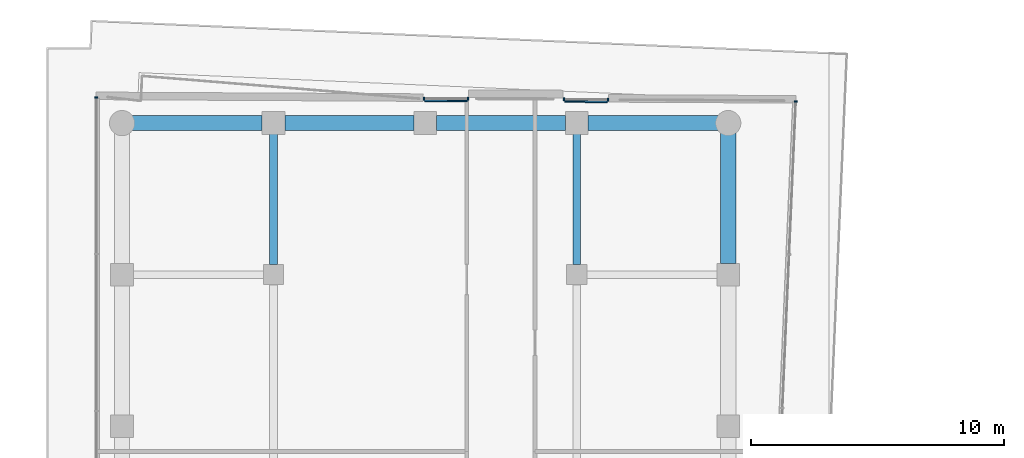
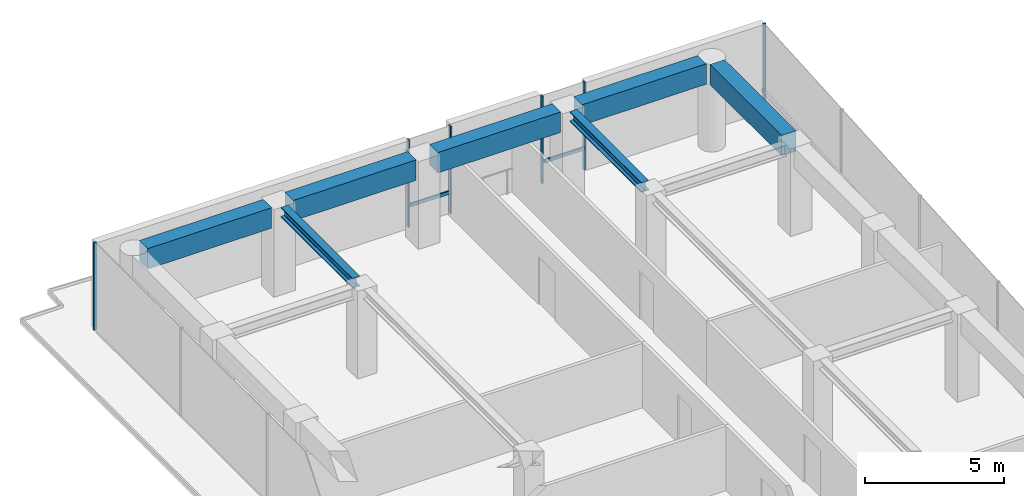
# One storey, part 18 of 25: 8 members, 7 beams, 4 elements without a shape of their own.
"""IFC4 building model written with IfcOpenShell, lengths in metres."""

from ifc_helpers import new_model, si_unit, direction, frame, origin, origin_2d, place, context, subcontext, project, spatial, rectangle, i_section, extrude, material, layer, layer_set, material_profile, profile_set, type_object, element, aggregate, save


model = new_model("IFC4")

# Units and contexts
model_context = context("Model", 3, precision=1e-05, world=origin(), true_north=direction((0.0, 1.0)))
body_context = subcontext(model_context, "Body", "Model", "MODEL_VIEW")
ifc_project = project(units=[si_unit("LENGTHUNIT", "METRE"), si_unit("AREAUNIT", "SQUARE_METRE"), si_unit("VOLUMEUNIT", "CUBIC_METRE"), si_unit("PLANEANGLEUNIT", "RADIAN"), si_unit("MASSUNIT", "GRAM", prefix="KILO")], contexts=[model_context])

# Site, building, storey
site_placement = place(None, origin())
site = spatial("IfcSite", under=ifc_project, at=site_placement, CompositionType="ELEMENT")
building_placement = place(site_placement, origin())
building = spatial("IfcBuilding", under=site, at=building_placement, Name="Welwitschia Terrace Campus", CompositionType="ELEMENT")
storey_placement = place(building_placement, frame((0.0, 0.0, 121.39990234375)))
storey = spatial("IfcBuildingStorey", under=building, at=storey_placement, Name="L27", CompositionType="ELEMENT", Elevation=121.39990234375)

# Beams
ifc_material_1 = material(Name="Steel S355", Category="steel")
ifc_material_profile_1 = material_profile(ifc_material_1, i_section(OverallWidth=0.306884765625, OverallDepth=0.431884765625, WebThickness=0.02099609375, FlangeThickness=0.0400390625, FilletRadius=0.027099609375, at=origin_2d()))
ifc_profile_set_1 = profile_set([ifc_material_profile_1], Name="Steel S355")
beam_type_1 = type_object("IfcBeamType", Name="Interior girder HE 400 M", PredefinedType="BEAM", material=ifc_profile_set_1)
for number, where, z_axis, x_axis, name in (
    (1, (6.0, 64.400390625, 3.634033203125), (0.0, 1.0, 0.0), (-1.0, 0.0, 0.0), "Girder GB3"),
    (2, (18.0, 64.400390625, 3.634033203125), (0.0, 1.0, 0.0), (-1.0, 0.0, 0.0), "Girder GB3"),
):
    element("IfcBeam", number, at=place(storey_placement, frame(where, z_axis=z_axis, x_axis=x_axis)), inside=storey, type_object=beam_type_1, Name=name, PredefinedType="BEAM", context=body_context, shape_type="SweptSolid", body=[
        extrude(i_section(OverallWidth=0.306884765625, OverallDepth=0.431884765625, WebThickness=0.02099609375, FlangeThickness=0.0400390625, FilletRadius=0.027099609375, at=origin_2d()), origin(), (0.0, 0.0, 1.0), 5.1591796875),
    ])

# Curtain wall, member
ifc_material_2 = material(Name="Bronze anodised aluminium", Category="aluminium")
ifc_layer = layer(ifc_material_2, 0.1201171875)
ifc_layer_set = layer_set([ifc_layer], Name="Bronze anodised aluminium")
curtain_wall_type = type_object("IfcCurtainWallType", Name="Curtain wall CW2 tower 6000", PredefinedType="NOTDEFINED", material=ifc_layer_set)
curtain_wall_1_placement = place(storey_placement, origin())
curtain_wall_1 = element("IfcCurtainWall", 3, at=curtain_wall_1_placement, inside=storey, type_object=curtain_wall_type, Name="CW L27.10.0", PredefinedType="NOTDEFINED")
ifc_material_3 = material(Name="Bronze anodised aluminium", Category="aluminium")
ifc_material_profile_2 = material_profile(ifc_material_3, rectangle(XDim=0.1201171875, YDim=0.06005859375, at=origin_2d()))
ifc_profile_set_2 = profile_set([ifc_material_profile_2], Name="Bronze anodised aluminium")
member_type_1 = type_object("IfcMemberType", Name="Mullion 60x120", PredefinedType="MULLION", material=ifc_profile_set_2)
member_1_placement = place(storey_placement, frame((26.677490234375, 70.861572265625, 0.0), z_axis=(0.0, 0.0, 1.0), x_axis=(-0.999048221582, 0.043619387365, 0.0)))
member_1 = element("IfcMember", 4, at=member_1_placement, type_object=member_type_1, Name="Mullion L27.10.0.6", PredefinedType="MULLION", context=body_context, shape_type="SweptSolid", body=[
    extrude(rectangle(XDim=0.1201171875, YDim=0.06005859375, at=origin_2d()), origin(), (0.0, 0.0, 1.0), 3.85009765625),
])
aggregate(curtain_wall_1, [member_1])

# Curtain wall, members
curtain_wall_2_placement = place(storey_placement, origin())
curtain_wall_2 = element("IfcCurtainWall", 5, at=curtain_wall_2_placement, inside=storey, type_object=curtain_wall_type, Name="CW L27.11.S0", PredefinedType="NOTDEFINED")
member_2_placement = place(storey_placement, frame((19.236083984375, 70.930908203125, 0.0), z_axis=(0.0, 0.0, 1.0), x_axis=(-0.005313754186, -0.999985881909, 0.0)))
member_2 = element("IfcMember", 6, at=member_2_placement, type_object=member_type_1, Name="Mullion L27.11.S0.0", PredefinedType="MULLION", context=body_context, shape_type="SweptSolid", body=[
    extrude(rectangle(XDim=0.1201171875, YDim=0.06005859375, at=origin_2d()), origin(), (0.0, 0.0, 1.0), 3.85009765625),
])
member_3_placement = place(storey_placement, frame((17.49609375, 70.940185546875, 0.0), z_axis=(0.0, 0.0, 1.0), x_axis=(-0.005313754186, -0.999985881909, 0.0)))
member_3 = element("IfcMember", 7, at=member_3_placement, type_object=member_type_1, Name="Mullion L27.11.S0.1", PredefinedType="MULLION", context=body_context, shape_type="SweptSolid", body=[
    extrude(rectangle(XDim=0.1201171875, YDim=0.06005859375, at=origin_2d()), origin(), (0.0, 0.0, 1.0), 3.85009765625),
])

curtain_wall_3_placement = place(storey_placement, origin())
curtain_wall_3 = element("IfcCurtainWall", 8, at=curtain_wall_3_placement, inside=storey, type_object=curtain_wall_type, Name="CW L27.11.S1", PredefinedType="NOTDEFINED")
member_4_placement = place(storey_placement, frame((13.6943359375, 70.96044921875, 0.0), z_axis=(0.0, 0.0, 1.0), x_axis=(-0.005313754186, -0.999985881909, 0.0)))
member_4 = element("IfcMember", 9, at=member_4_placement, type_object=member_type_1, Name="Mullion L27.11.S1.0", PredefinedType="MULLION", context=body_context, shape_type="SweptSolid", body=[
    extrude(rectangle(XDim=0.1201171875, YDim=0.06005859375, at=origin_2d()), origin(), (0.0, 0.0, 1.0), 3.85009765625),
])
member_5_placement = place(storey_placement, frame((11.954345703125, 70.9697265625, 0.0), z_axis=(0.0, 0.0, 1.0), x_axis=(-0.005313754186, -0.999985881909, 0.0)))
member_5 = element("IfcMember", 10, at=member_5_placement, type_object=member_type_1, Name="Mullion L27.11.S1.1", PredefinedType="MULLION", context=body_context, shape_type="SweptSolid", body=[
    extrude(rectangle(XDim=0.1201171875, YDim=0.06005859375, at=origin_2d()), origin(), (0.0, 0.0, 1.0), 3.85009765625),
])

# Curtain wall, member
curtain_wall_4_placement = place(storey_placement, origin())
curtain_wall_4 = element("IfcCurtainWall", 11, at=curtain_wall_4_placement, inside=storey, type_object=curtain_wall_type, Name="CW L27.12.0", PredefinedType="NOTDEFINED")
member_6_placement = place(storey_placement, frame((-1.030029296875, 71.008544921875, 0.0), z_axis=(0.0, 0.0, 1.0), x_axis=(1.0, 0.0, 0.0)))
member_6 = element("IfcMember", 12, at=member_6_placement, type_object=member_type_1, Name="Mullion L27.12.0.0", PredefinedType="MULLION", context=body_context, shape_type="SweptSolid", body=[
    extrude(rectangle(XDim=0.1201171875, YDim=0.06005859375, at=origin_2d()), origin(), (0.0, 0.0, 1.0), 3.85009765625),
])
aggregate(curtain_wall_4, [member_6])

# Beams
ifc_material_4 = material(Name="Concrete C60/75", Category="concrete")
ifc_material_profile_3 = material_profile(ifc_material_4, rectangle(XDim=0.60009765625, YDim=0.89990234375, at=origin_2d()))
ifc_profile_set_3 = profile_set([ifc_material_profile_3], Name="Concrete C60/75")
beam_type_2 = type_object("IfcBeamType", Name="Ring spandrel 600x900", PredefinedType="SPANDREL", material=ifc_profile_set_3)
for number, where, z_axis, x_axis, name in (
    (13, (24.0, 64.450439453125, 3.400146484375), (0.0, 1.0, 0.0), (-1.0, 0.0, 0.0), "Spandrel SP2"),
    (14, (23.599609375, 70.0, 3.400146484375), (-1.0, 0.0, 0.0), (0.0, -1.0, 0.0), "Spandrel SP2"),
):
    element("IfcBeam", number, at=place(storey_placement, frame(where, z_axis=z_axis, x_axis=x_axis)), inside=storey, type_object=beam_type_2, Name=name, PredefinedType="SPANDREL", context=body_context, shape_type="SweptSolid", body=[
        extrude(rectangle(XDim=0.60009765625, YDim=0.89990234375, at=origin_2d()), origin(), (0.0, 0.0, 1.0), 5.149169921875),
    ])
for number, where, z_axis, x_axis, name in (
    (15, (17.549560546875, 70.0, 3.400146484375), (-1.0, 0.0, 0.0), (0.0, -1.0, 0.0), "Spandrel SP2"),
    (16, (11.549560546875, 70.0, 3.400146484375), (-1.0, 0.0, 0.0), (0.0, -1.0, 0.0), "Spandrel SP2"),
):
    element("IfcBeam", number, at=place(storey_placement, frame(where, z_axis=z_axis, x_axis=x_axis)), inside=storey, type_object=beam_type_2, Name=name, PredefinedType="SPANDREL", context=body_context, shape_type="SweptSolid", body=[
        extrude(rectangle(XDim=0.60009765625, YDim=0.89990234375, at=origin_2d()), origin(), (0.0, 0.0, 1.0), 5.09912109375),
    ])
beam_placement = place(storey_placement, frame((5.549560546875, 70.0, 3.400146484375), z_axis=(-1.0, 0.0, 0.0), x_axis=(0.0, -1.0, 0.0)))
element("IfcBeam", 17, at=beam_placement, inside=storey, type_object=beam_type_2, Name="Spandrel SP2", PredefinedType="SPANDREL", context=body_context, shape_type="SweptSolid", body=[
    extrude(rectangle(XDim=0.60009765625, YDim=0.89990234375, at=origin_2d()), origin(), (0.0, 0.0, 1.0), 5.149169921875),
])

# Member
ifc_material_5 = material(Name="Bronze anodised aluminium", Category="aluminium")
ifc_material_profile_4 = material_profile(ifc_material_5, rectangle(XDim=0.06005859375, YDim=0.14990234375, at=origin_2d()))
ifc_profile_set_4 = profile_set([ifc_material_profile_4], Name="Bronze anodised aluminium")
member_type_2 = type_object("IfcMemberType", Name="Transom 60x150", PredefinedType="USERDEFINED", material=ifc_profile_set_4)
member_7_placement = place(storey_placement, frame((19.20556640625, 70.841064453125, 1.0), z_axis=(-0.999985543575, 0.005377047684, 0.0), x_axis=(-0.005377047684, -0.999985543575, 0.0)))
member_7 = element("IfcMember", 18, at=member_7_placement, type_object=member_type_2, Name="Transom L27.11.S0", ObjectType="TRANSOM", PredefinedType="USERDEFINED", context=body_context, shape_type="SweptSolid", body=[
    extrude(rectangle(XDim=0.06005859375, YDim=0.14990234375, at=origin_2d()), origin(), (0.0, 0.0, 1.0), 1.679931640625),
])

aggregate(curtain_wall_2, [member_2, member_3, member_7])

member_8_placement = place(storey_placement, frame((13.663818359375, 70.87060546875, 1.0), z_axis=(-0.999986314427, 0.005231726104, 0.0), x_axis=(-0.005231726104, -0.999986314427, 0.0)))
member_8 = element("IfcMember", 19, at=member_8_placement, type_object=member_type_2, Name="Transom L27.11.S1", ObjectType="TRANSOM", PredefinedType="USERDEFINED", context=body_context, shape_type="SweptSolid", body=[
    extrude(rectangle(XDim=0.06005859375, YDim=0.14990234375, at=origin_2d()), origin(), (0.0, 0.0, 1.0), 1.679931640625),
])

aggregate(curtain_wall_3, [member_4, member_5, member_8])

save(model, "model.ifc")
